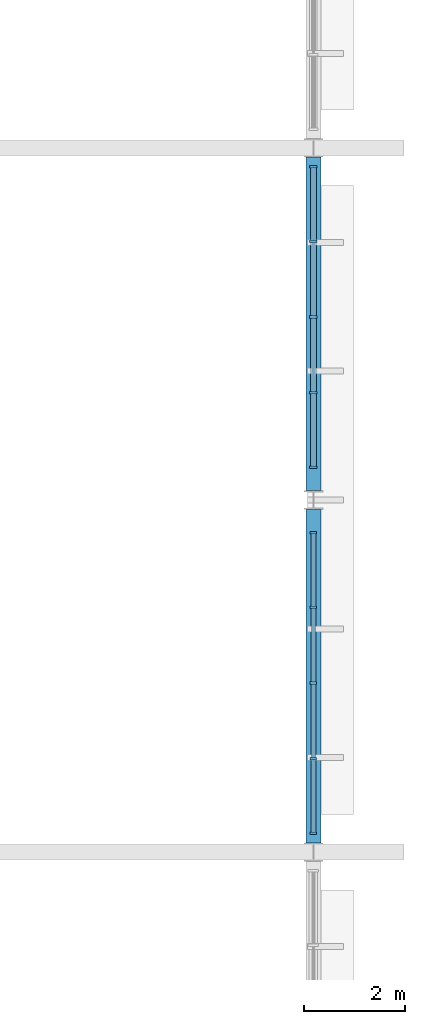
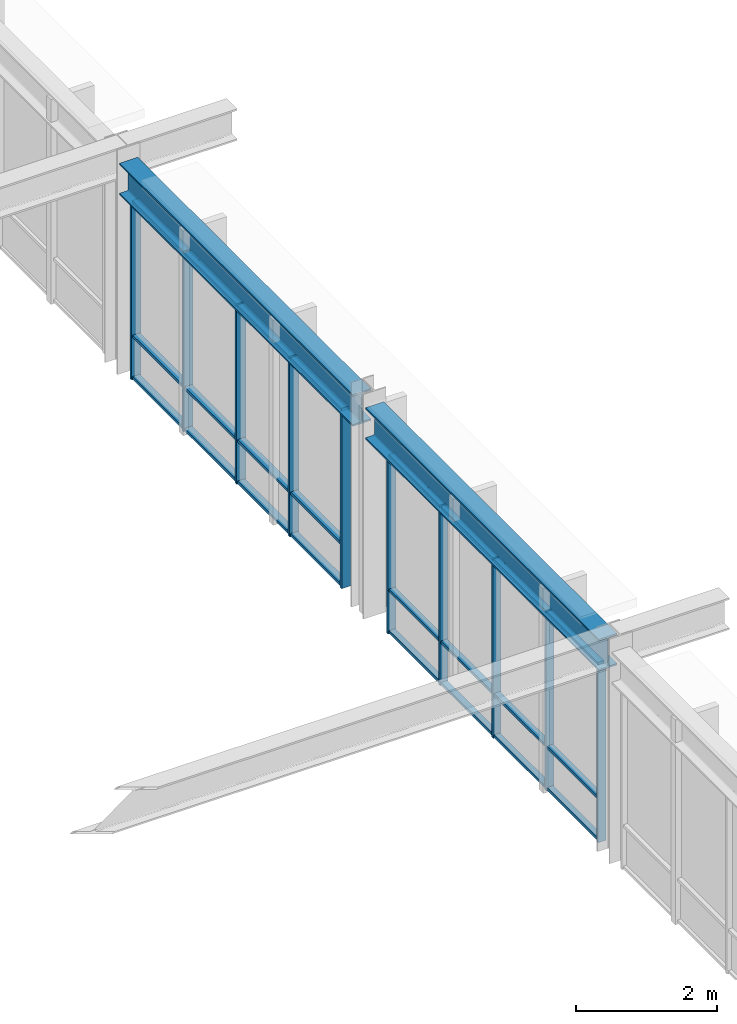
# One storey, part 41 of 98: 34 members, 2 beams, 2 elements without a shape of their own.
"""IFC4 building model written with IfcOpenShell, lengths in metres."""

from ifc_helpers import new_model, si_unit, direction, frame, origin, origin_2d, place, context, subcontext, project, spatial, rectangle, i_section, extrude, material, material_profile, profile_set, type_object, element, aggregate, save


model = new_model("IFC4")

# Units and contexts
model_context = context("Model", 3, precision=1e-05, world=origin(), true_north=direction((0.0, 1.0)))
body_context = subcontext(model_context, "Body", "Model", "MODEL_VIEW")
ifc_project = project(units=[si_unit("LENGTHUNIT", "METRE"), si_unit("AREAUNIT", "SQUARE_METRE"), si_unit("VOLUMEUNIT", "CUBIC_METRE"), si_unit("PLANEANGLEUNIT", "RADIAN"), si_unit("MASSUNIT", "GRAM", prefix="KILO")], contexts=[model_context])

# Site, building, storey
site_placement = place(None, origin())
site = spatial("IfcSite", under=ifc_project, at=site_placement, CompositionType="ELEMENT")
building_placement = place(site_placement, origin())
building = spatial("IfcBuilding", under=site, at=building_placement, Name="Larkveld Mobility Hub", CompositionType="ELEMENT")
storey_placement = place(building_placement, frame((0.0, 0.0, 4.5)))
storey = spatial("IfcBuildingStorey", under=building, at=storey_placement, Name="L01", CompositionType="ELEMENT", Elevation=4.5)

# Beams
ifc_material_1 = material(Name="Steel S355JR", Category="steel")
ifc_material_profile_1 = material_profile(ifc_material_1, i_section(OverallWidth=0.300048828125, OverallDepth=0.550048828125, WebThickness=0.014892578125, FlangeThickness=0.029052734375, FilletRadius=0.027099609375, at=origin_2d()), Name="HEB 550")
ifc_profile_set_1 = profile_set([ifc_material_profile_1], Name="Steel S355JR")
beam_type = type_object("IfcBeamType", Name="BM-STHEB550", PredefinedType="BEAM", material=ifc_profile_set_1)
for number, where, z_axis, x_axis, name in (
    (1, (184.0, 98.18408203125, 3.385009765625), (0.0, 1.0, 0.0), (-1.0, 0.0, 0.0), "Primary N-S Girder L01-0480"),
    (2, (184.0, 105.18408203125, 3.385009765625), (0.0, 1.0, 0.0), (-1.0, 0.0, 0.0), "Primary N-S Girder L01-0481"),
):
    element("IfcBeam", number, at=place(storey_placement, frame(where, z_axis=z_axis, x_axis=x_axis)), inside=storey, type_object=beam_type, Name=name, PredefinedType="BEAM", context=body_context, shape_type="SweptSolid", body=[
        extrude(i_section(OverallWidth=0.300048828125, OverallDepth=0.550048828125, WebThickness=0.014892578125, FlangeThickness=0.029052734375, FilletRadius=0.027099609375, at=origin_2d()), origin(), (0.0, 0.0, 1.0), 6.6318359375),
    ])

# Curtain wall, members
ifc_material_2 = material(Name="Anodised aluminium 6063-T6", Category="aluminium")
curtain_wall_type_1 = type_object("IfcCurtainWallType", Name="CW-SYS-01", PredefinedType="NOTDEFINED", material=ifc_material_2)
curtain_wall_1_placement = place(storey_placement, origin())
curtain_wall_1 = element("IfcCurtainWall", 3, at=curtain_wall_1_placement, inside=storey, type_object=curtain_wall_type_1, Name="Bus Hall Upper East Glazing B6 CW-061", PredefinedType="NOTDEFINED")
ifc_material_profile_2 = material_profile(ifc_material_2, rectangle(XDim=0.050048828125, YDim=0.14990234375, at=origin_2d()), Name="ALU MULL 50x150")
ifc_profile_set_2 = profile_set([ifc_material_profile_2], Name="Anodised aluminium 6063-T6")
member_type_1 = type_object("IfcMemberType", Name="CW-MUL-01", PredefinedType="MULLION", material=ifc_profile_set_2)
member_1_placement = place(storey_placement, frame((184.0, 105.65087890625, -0.001953125), z_axis=(0.0, 0.0, 1.0), x_axis=(0.0, 1.0, 0.0)))
member_1 = element("IfcMember", 4, at=member_1_placement, type_object=member_type_1, Name="CW01 mullion 1", PredefinedType="MULLION", context=body_context, shape_type="SweptSolid", body=[
    extrude(rectangle(XDim=0.050048828125, YDim=0.14990234375, at=origin_2d()), origin(), (0.0, 0.0, 1.0), 3.112060546875),
])
member_2_placement = place(storey_placement, frame((184.0, 107.132080078125, -0.001953125), z_axis=(0.0, 0.0, 1.0), x_axis=(0.0, 1.0, 0.0)))
member_2 = element("IfcMember", 5, at=member_2_placement, type_object=member_type_1, Name="CW01 mullion 2", PredefinedType="MULLION", context=body_context, shape_type="SweptSolid", body=[
    extrude(rectangle(XDim=0.050048828125, YDim=0.14990234375, at=origin_2d()), origin(), (0.0, 0.0, 1.0), 3.112060546875),
])
member_3_placement = place(storey_placement, frame((184.0, 108.637939453125, -0.001953125), z_axis=(0.0, 0.0, 1.0), x_axis=(0.0, 1.0, 0.0)))
member_3 = element("IfcMember", 6, at=member_3_placement, type_object=member_type_1, Name="CW01 mullion 3", PredefinedType="MULLION", context=body_context, shape_type="SweptSolid", body=[
    extrude(rectangle(XDim=0.050048828125, YDim=0.14990234375, at=origin_2d()), origin(), (0.0, 0.0, 1.0), 3.112060546875),
])
member_4_placement = place(storey_placement, frame((184.0, 110.14404296875, -0.001953125), z_axis=(0.0, 0.0, 1.0), x_axis=(0.0, 1.0, 0.0)))
member_4 = element("IfcMember", 7, at=member_4_placement, type_object=member_type_1, Name="CW01 mullion 4", PredefinedType="MULLION", context=body_context, shape_type="SweptSolid", body=[
    extrude(rectangle(XDim=0.050048828125, YDim=0.14990234375, at=origin_2d()), origin(), (0.0, 0.0, 1.0), 3.112060546875),
])
member_5_placement = place(storey_placement, frame((184.0, 111.625, -0.001953125), z_axis=(0.0, 0.0, 1.0), x_axis=(0.0, 1.0, 0.0)))
member_5 = element("IfcMember", 8, at=member_5_placement, type_object=member_type_1, Name="CW01 mullion 5", PredefinedType="MULLION", context=body_context, shape_type="SweptSolid", body=[
    extrude(rectangle(XDim=0.050048828125, YDim=0.14990234375, at=origin_2d()), origin(), (0.0, 0.0, 1.0), 3.112060546875),
])

curtain_wall_type_2 = type_object("IfcCurtainWallType", Name="CW-SYS-12", PredefinedType="NOTDEFINED", material=ifc_material_2)
curtain_wall_2_placement = place(storey_placement, origin())
curtain_wall_2 = element("IfcCurtainWall", 9, at=curtain_wall_2_placement, inside=storey, type_object=curtain_wall_type_2, Name="Bus Hall Upper East Glazing B6 CW-060", PredefinedType="NOTDEFINED")
ifc_material_profile_3 = material_profile(ifc_material_2, rectangle(XDim=0.050048828125, YDim=0.1298828125, at=origin_2d()), Name="ALU MULL 50x130")
ifc_profile_set_3 = profile_set([ifc_material_profile_3], Name="Anodised aluminium 6063-T6")
member_type_2 = type_object("IfcMemberType", Name="CW-MUL-04", PredefinedType="MULLION", material=ifc_profile_set_3)
member_6_placement = place(storey_placement, frame((184.0, 98.375, -0.001953125), z_axis=(0.0, 0.0, 1.0), x_axis=(0.0, 1.0, 0.0)))
member_6 = element("IfcMember", 10, at=member_6_placement, type_object=member_type_2, Name="CW12 mullion 1", PredefinedType="MULLION", context=body_context, shape_type="SweptSolid", body=[
    extrude(rectangle(XDim=0.050048828125, YDim=0.1298828125, at=origin_2d()), origin(), (0.0, 0.0, 1.0), 3.112060546875),
])
member_7_placement = place(storey_placement, frame((184.0, 99.85595703125, -0.001953125), z_axis=(0.0, 0.0, 1.0), x_axis=(0.0, 1.0, 0.0)))
member_7 = element("IfcMember", 11, at=member_7_placement, type_object=member_type_2, Name="CW12 mullion 2", PredefinedType="MULLION", context=body_context, shape_type="SweptSolid", body=[
    extrude(rectangle(XDim=0.050048828125, YDim=0.1298828125, at=origin_2d()), origin(), (0.0, 0.0, 1.0), 3.112060546875),
])
member_8_placement = place(storey_placement, frame((184.0, 101.362060546875, -0.001953125), z_axis=(0.0, 0.0, 1.0), x_axis=(0.0, 1.0, 0.0)))
member_8 = element("IfcMember", 12, at=member_8_placement, type_object=member_type_2, Name="CW12 mullion 3", PredefinedType="MULLION", context=body_context, shape_type="SweptSolid", body=[
    extrude(rectangle(XDim=0.050048828125, YDim=0.1298828125, at=origin_2d()), origin(), (0.0, 0.0, 1.0), 3.112060546875),
])
member_9_placement = place(storey_placement, frame((184.0, 102.867919921875, -0.001953125), z_axis=(0.0, 0.0, 1.0), x_axis=(0.0, 1.0, 0.0)))
member_9 = element("IfcMember", 13, at=member_9_placement, type_object=member_type_2, Name="CW12 mullion 4", PredefinedType="MULLION", context=body_context, shape_type="SweptSolid", body=[
    extrude(rectangle(XDim=0.050048828125, YDim=0.1298828125, at=origin_2d()), origin(), (0.0, 0.0, 1.0), 3.112060546875),
])
member_10_placement = place(storey_placement, frame((184.0, 104.34912109375, -0.001953125), z_axis=(0.0, 0.0, 1.0), x_axis=(0.0, 1.0, 0.0)))
member_10 = element("IfcMember", 14, at=member_10_placement, type_object=member_type_2, Name="CW12 mullion 5", PredefinedType="MULLION", context=body_context, shape_type="SweptSolid", body=[
    extrude(rectangle(XDim=0.050048828125, YDim=0.1298828125, at=origin_2d()), origin(), (0.0, 0.0, 1.0), 3.112060546875),
])

# Member
ifc_material_profile_4 = material_profile(ifc_material_2, rectangle(XDim=0.1201171875, YDim=0.050048828125, at=origin_2d()), Name="ALU TRAN 50x120")
ifc_profile_set_4 = profile_set([ifc_material_profile_4], Name="Anodised aluminium 6063-T6")
member_type_3 = type_object("IfcMemberType", Name="CW-TRN-01", PredefinedType="USERDEFINED", material=ifc_profile_set_4)
member_11_placement = place(storey_placement, frame((184.0, 105.660888671875, 0.030029296875), z_axis=(0.0, 1.0, 0.0), x_axis=(-1.0, 0.0, 0.0)))
member_11 = element("IfcMember", 15, at=member_11_placement, type_object=member_type_3, Name="CW01 transom 1.1", ObjectType="TRANSOM", PredefinedType="USERDEFINED", context=body_context, shape_type="SweptSolid", body=[
    extrude(rectangle(XDim=0.1201171875, YDim=0.050048828125, at=origin_2d()), origin(), (0.0, 0.0, 1.0), 1.4560546875),
])

member_12_placement = place(storey_placement, frame((184.0, 105.660888671875, 0.75), z_axis=(0.0, 1.0, 0.0), x_axis=(-1.0, 0.0, 0.0)))
member_12 = element("IfcMember", 16, at=member_12_placement, type_object=member_type_3, Name="CW01 transom 1.2", ObjectType="TRANSOM", PredefinedType="USERDEFINED", context=body_context, shape_type="SweptSolid", body=[
    extrude(rectangle(XDim=0.1201171875, YDim=0.050048828125, at=origin_2d()), origin(), (0.0, 0.0, 1.0), 1.4560546875),
])

member_13_placement = place(storey_placement, frame((184.0, 105.660888671875, 3.077880859375), z_axis=(0.0, 1.0, 0.0), x_axis=(-1.0, 0.0, 0.0)))
member_13 = element("IfcMember", 17, at=member_13_placement, type_object=member_type_3, Name="CW01 transom 1.3", ObjectType="TRANSOM", PredefinedType="USERDEFINED", context=body_context, shape_type="SweptSolid", body=[
    extrude(rectangle(XDim=0.1201171875, YDim=0.050048828125, at=origin_2d()), origin(), (0.0, 0.0, 1.0), 1.4560546875),
])

member_14_placement = place(storey_placement, frame((184.0, 107.14697265625, 0.030029296875), z_axis=(0.0, 1.0, 0.0), x_axis=(-1.0, 0.0, 0.0)))
member_14 = element("IfcMember", 18, at=member_14_placement, type_object=member_type_3, Name="CW01 transom 2.1", ObjectType="TRANSOM", PredefinedType="USERDEFINED", context=body_context, shape_type="SweptSolid", body=[
    extrude(rectangle(XDim=0.1201171875, YDim=0.050048828125, at=origin_2d()), origin(), (0.0, 0.0, 1.0), 1.47607421875),
])

member_15_placement = place(storey_placement, frame((184.0, 107.14697265625, 0.75), z_axis=(0.0, 1.0, 0.0), x_axis=(-1.0, 0.0, 0.0)))
member_15 = element("IfcMember", 19, at=member_15_placement, type_object=member_type_3, Name="CW01 transom 2.2", ObjectType="TRANSOM", PredefinedType="USERDEFINED", context=body_context, shape_type="SweptSolid", body=[
    extrude(rectangle(XDim=0.1201171875, YDim=0.050048828125, at=origin_2d()), origin(), (0.0, 0.0, 1.0), 1.47607421875),
])

member_16_placement = place(storey_placement, frame((184.0, 107.14697265625, 3.077880859375), z_axis=(0.0, 1.0, 0.0), x_axis=(-1.0, 0.0, 0.0)))
member_16 = element("IfcMember", 20, at=member_16_placement, type_object=member_type_3, Name="CW01 transom 2.3", ObjectType="TRANSOM", PredefinedType="USERDEFINED", context=body_context, shape_type="SweptSolid", body=[
    extrude(rectangle(XDim=0.1201171875, YDim=0.050048828125, at=origin_2d()), origin(), (0.0, 0.0, 1.0), 1.47607421875),
])

member_17_placement = place(storey_placement, frame((184.0, 108.653076171875, 0.030029296875), z_axis=(0.0, 1.0, 0.0), x_axis=(-1.0, 0.0, 0.0)))
member_17 = element("IfcMember", 21, at=member_17_placement, type_object=member_type_3, Name="CW01 transom 3.1", ObjectType="TRANSOM", PredefinedType="USERDEFINED", context=body_context, shape_type="SweptSolid", body=[
    extrude(rectangle(XDim=0.1201171875, YDim=0.050048828125, at=origin_2d()), origin(), (0.0, 0.0, 1.0), 1.475830078125),
])

member_18_placement = place(storey_placement, frame((184.0, 108.653076171875, 0.75), z_axis=(0.0, 1.0, 0.0), x_axis=(-1.0, 0.0, 0.0)))
member_18 = element("IfcMember", 22, at=member_18_placement, type_object=member_type_3, Name="CW01 transom 3.2", ObjectType="TRANSOM", PredefinedType="USERDEFINED", context=body_context, shape_type="SweptSolid", body=[
    extrude(rectangle(XDim=0.1201171875, YDim=0.050048828125, at=origin_2d()), origin(), (0.0, 0.0, 1.0), 1.475830078125),
])

member_19_placement = place(storey_placement, frame((184.0, 108.653076171875, 3.077880859375), z_axis=(0.0, 1.0, 0.0), x_axis=(-1.0, 0.0, 0.0)))
member_19 = element("IfcMember", 23, at=member_19_placement, type_object=member_type_3, Name="CW01 transom 3.3", ObjectType="TRANSOM", PredefinedType="USERDEFINED", context=body_context, shape_type="SweptSolid", body=[
    extrude(rectangle(XDim=0.1201171875, YDim=0.050048828125, at=origin_2d()), origin(), (0.0, 0.0, 1.0), 1.475830078125),
])

member_20_placement = place(storey_placement, frame((184.0, 110.158935546875, 0.030029296875), z_axis=(0.0, 1.0, 0.0), x_axis=(-1.0, 0.0, 0.0)))
member_20 = element("IfcMember", 24, at=member_20_placement, type_object=member_type_3, Name="CW01 transom 4.1", ObjectType="TRANSOM", PredefinedType="USERDEFINED", context=body_context, shape_type="SweptSolid", body=[
    extrude(rectangle(XDim=0.1201171875, YDim=0.050048828125, at=origin_2d()), origin(), (0.0, 0.0, 1.0), 1.4560546875),
])

member_21_placement = place(storey_placement, frame((184.0, 110.158935546875, 0.75), z_axis=(0.0, 1.0, 0.0), x_axis=(-1.0, 0.0, 0.0)))
member_21 = element("IfcMember", 25, at=member_21_placement, type_object=member_type_3, Name="CW01 transom 4.2", ObjectType="TRANSOM", PredefinedType="USERDEFINED", context=body_context, shape_type="SweptSolid", body=[
    extrude(rectangle(XDim=0.1201171875, YDim=0.050048828125, at=origin_2d()), origin(), (0.0, 0.0, 1.0), 1.4560546875),
])

member_22_placement = place(storey_placement, frame((184.0, 110.158935546875, 3.077880859375), z_axis=(0.0, 1.0, 0.0), x_axis=(-1.0, 0.0, 0.0)))
member_22 = element("IfcMember", 26, at=member_22_placement, type_object=member_type_3, Name="CW01 transom 4.3", ObjectType="TRANSOM", PredefinedType="USERDEFINED", context=body_context, shape_type="SweptSolid", body=[
    extrude(rectangle(XDim=0.1201171875, YDim=0.050048828125, at=origin_2d()), origin(), (0.0, 0.0, 1.0), 1.4560546875),
])

aggregate(curtain_wall_1, [member_1, member_2, member_3, member_4, member_5, member_11, member_12, member_13, member_14, member_15, member_16, member_17, member_18, member_19, member_20, member_21, member_22])

ifc_material_profile_5 = material_profile(ifc_material_2, rectangle(XDim=0.10009765625, YDim=0.050048828125, at=origin_2d()), Name="ALU TRAN 50x100")
ifc_profile_set_5 = profile_set([ifc_material_profile_5], Name="Anodised aluminium 6063-T6")
member_type_4 = type_object("IfcMemberType", Name="CW-TRN-04", PredefinedType="USERDEFINED", material=ifc_profile_set_5)
member_23_placement = place(storey_placement, frame((184.0, 98.385009765625, 0.030029296875), z_axis=(0.0, 1.0, 0.0), x_axis=(-1.0, 0.0, 0.0)))
member_23 = element("IfcMember", 27, at=member_23_placement, type_object=member_type_4, Name="CW12 transom 1.1", ObjectType="TRANSOM", PredefinedType="USERDEFINED", context=body_context, shape_type="SweptSolid", body=[
    extrude(rectangle(XDim=0.10009765625, YDim=0.050048828125, at=origin_2d()), origin(), (0.0, 0.0, 1.0), 1.4560546875),
])

member_24_placement = place(storey_placement, frame((184.0, 98.385009765625, 0.75), z_axis=(0.0, 1.0, 0.0), x_axis=(-1.0, 0.0, 0.0)))
member_24 = element("IfcMember", 28, at=member_24_placement, type_object=member_type_4, Name="CW12 transom 1.2", ObjectType="TRANSOM", PredefinedType="USERDEFINED", context=body_context, shape_type="SweptSolid", body=[
    extrude(rectangle(XDim=0.10009765625, YDim=0.050048828125, at=origin_2d()), origin(), (0.0, 0.0, 1.0), 1.4560546875),
])

member_25_placement = place(storey_placement, frame((184.0, 98.385009765625, 3.077880859375), z_axis=(0.0, 1.0, 0.0), x_axis=(-1.0, 0.0, 0.0)))
member_25 = element("IfcMember", 29, at=member_25_placement, type_object=member_type_4, Name="CW12 transom 1.3", ObjectType="TRANSOM", PredefinedType="USERDEFINED", context=body_context, shape_type="SweptSolid", body=[
    extrude(rectangle(XDim=0.10009765625, YDim=0.050048828125, at=origin_2d()), origin(), (0.0, 0.0, 1.0), 1.4560546875),
])

member_26_placement = place(storey_placement, frame((184.0, 99.87109375, 0.030029296875), z_axis=(0.0, 1.0, 0.0), x_axis=(-1.0, 0.0, 0.0)))
member_26 = element("IfcMember", 30, at=member_26_placement, type_object=member_type_4, Name="CW12 transom 2.1", ObjectType="TRANSOM", PredefinedType="USERDEFINED", context=body_context, shape_type="SweptSolid", body=[
    extrude(rectangle(XDim=0.10009765625, YDim=0.050048828125, at=origin_2d()), origin(), (0.0, 0.0, 1.0), 1.475830078125),
])

member_27_placement = place(storey_placement, frame((184.0, 99.87109375, 0.75), z_axis=(0.0, 1.0, 0.0), x_axis=(-1.0, 0.0, 0.0)))
member_27 = element("IfcMember", 31, at=member_27_placement, type_object=member_type_4, Name="CW12 transom 2.2", ObjectType="TRANSOM", PredefinedType="USERDEFINED", context=body_context, shape_type="SweptSolid", body=[
    extrude(rectangle(XDim=0.10009765625, YDim=0.050048828125, at=origin_2d()), origin(), (0.0, 0.0, 1.0), 1.475830078125),
])

member_28_placement = place(storey_placement, frame((184.0, 99.87109375, 3.077880859375), z_axis=(0.0, 1.0, 0.0), x_axis=(-1.0, 0.0, 0.0)))
member_28 = element("IfcMember", 32, at=member_28_placement, type_object=member_type_4, Name="CW12 transom 2.3", ObjectType="TRANSOM", PredefinedType="USERDEFINED", context=body_context, shape_type="SweptSolid", body=[
    extrude(rectangle(XDim=0.10009765625, YDim=0.050048828125, at=origin_2d()), origin(), (0.0, 0.0, 1.0), 1.475830078125),
])

member_29_placement = place(storey_placement, frame((184.0, 101.376953125, 0.030029296875), z_axis=(0.0, 1.0, 0.0), x_axis=(-1.0, 0.0, 0.0)))
member_29 = element("IfcMember", 33, at=member_29_placement, type_object=member_type_4, Name="CW12 transom 3.1", ObjectType="TRANSOM", PredefinedType="USERDEFINED", context=body_context, shape_type="SweptSolid", body=[
    extrude(rectangle(XDim=0.10009765625, YDim=0.050048828125, at=origin_2d()), origin(), (0.0, 0.0, 1.0), 1.47607421875),
])

member_30_placement = place(storey_placement, frame((184.0, 101.376953125, 0.75), z_axis=(0.0, 1.0, 0.0), x_axis=(-1.0, 0.0, 0.0)))
member_30 = element("IfcMember", 34, at=member_30_placement, type_object=member_type_4, Name="CW12 transom 3.2", ObjectType="TRANSOM", PredefinedType="USERDEFINED", context=body_context, shape_type="SweptSolid", body=[
    extrude(rectangle(XDim=0.10009765625, YDim=0.050048828125, at=origin_2d()), origin(), (0.0, 0.0, 1.0), 1.47607421875),
])

member_31_placement = place(storey_placement, frame((184.0, 101.376953125, 3.077880859375), z_axis=(0.0, 1.0, 0.0), x_axis=(-1.0, 0.0, 0.0)))
member_31 = element("IfcMember", 35, at=member_31_placement, type_object=member_type_4, Name="CW12 transom 3.3", ObjectType="TRANSOM", PredefinedType="USERDEFINED", context=body_context, shape_type="SweptSolid", body=[
    extrude(rectangle(XDim=0.10009765625, YDim=0.050048828125, at=origin_2d()), origin(), (0.0, 0.0, 1.0), 1.47607421875),
])

member_32_placement = place(storey_placement, frame((184.0, 102.883056640625, 0.030029296875), z_axis=(0.0, 1.0, 0.0), x_axis=(-1.0, 0.0, 0.0)))
member_32 = element("IfcMember", 36, at=member_32_placement, type_object=member_type_4, Name="CW12 transom 4.1", ObjectType="TRANSOM", PredefinedType="USERDEFINED", context=body_context, shape_type="SweptSolid", body=[
    extrude(rectangle(XDim=0.10009765625, YDim=0.050048828125, at=origin_2d()), origin(), (0.0, 0.0, 1.0), 1.4560546875),
])

member_33_placement = place(storey_placement, frame((184.0, 102.883056640625, 0.75), z_axis=(0.0, 1.0, 0.0), x_axis=(-1.0, 0.0, 0.0)))
member_33 = element("IfcMember", 37, at=member_33_placement, type_object=member_type_4, Name="CW12 transom 4.2", ObjectType="TRANSOM", PredefinedType="USERDEFINED", context=body_context, shape_type="SweptSolid", body=[
    extrude(rectangle(XDim=0.10009765625, YDim=0.050048828125, at=origin_2d()), origin(), (0.0, 0.0, 1.0), 1.4560546875),
])

member_34_placement = place(storey_placement, frame((184.0, 102.883056640625, 3.077880859375), z_axis=(0.0, 1.0, 0.0), x_axis=(-1.0, 0.0, 0.0)))
member_34 = element("IfcMember", 38, at=member_34_placement, type_object=member_type_4, Name="CW12 transom 4.3", ObjectType="TRANSOM", PredefinedType="USERDEFINED", context=body_context, shape_type="SweptSolid", body=[
    extrude(rectangle(XDim=0.10009765625, YDim=0.050048828125, at=origin_2d()), origin(), (0.0, 0.0, 1.0), 1.4560546875),
])

aggregate(curtain_wall_2, [member_6, member_7, member_8, member_9, member_10, member_23, member_24, member_25, member_26, member_27, member_28, member_29, member_30, member_31, member_32, member_33, member_34])

save(model, "model.ifc")
